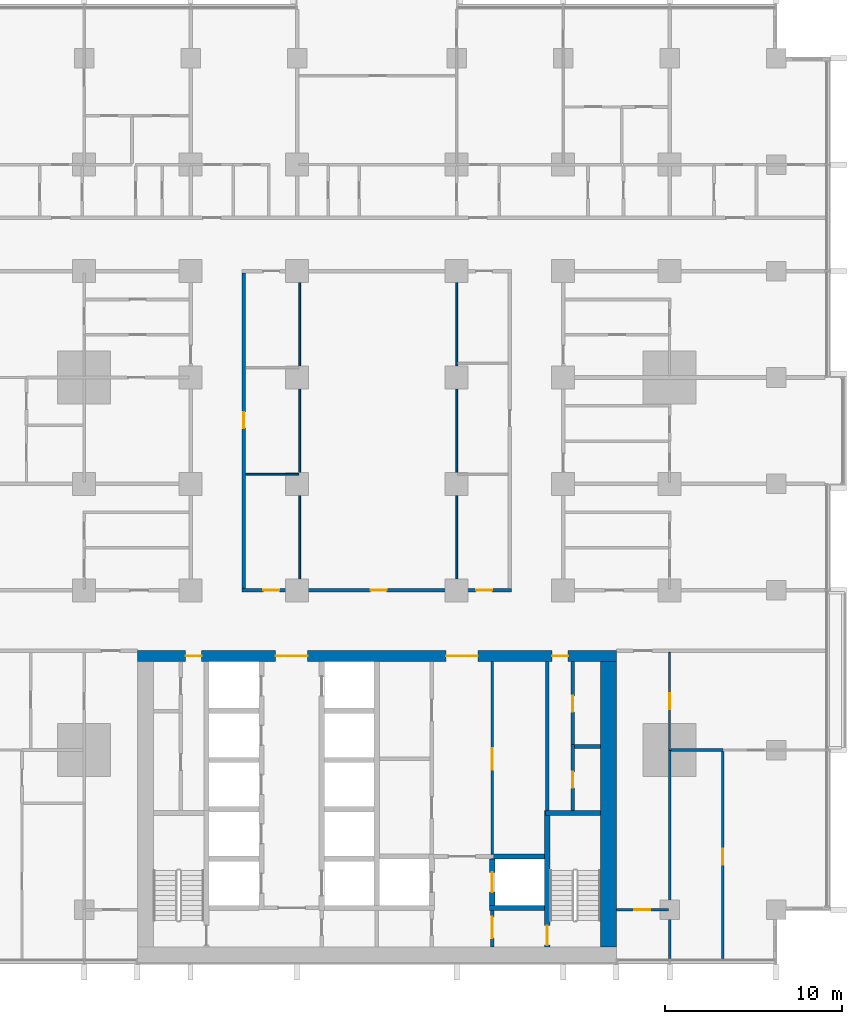
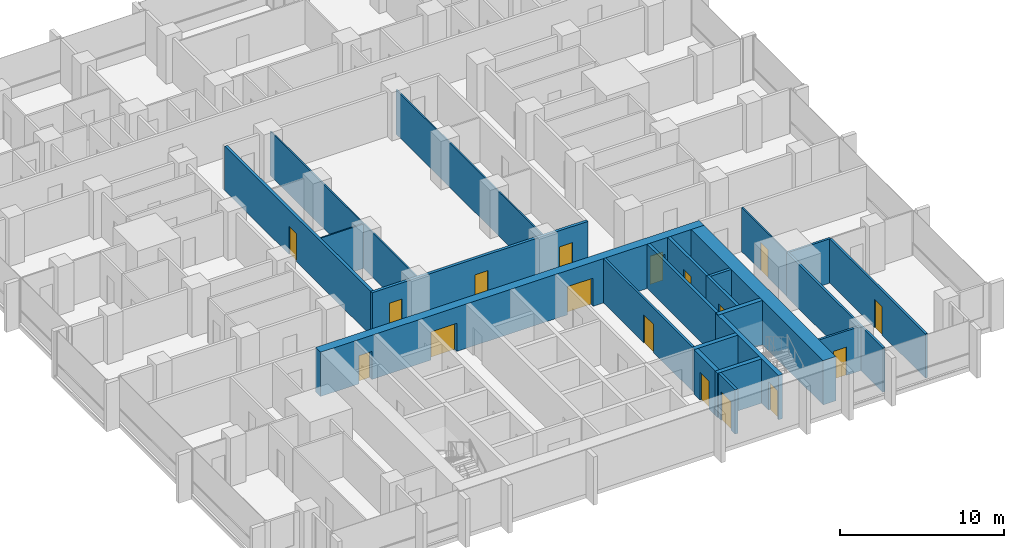
# One storey, part 9 of 18: 23 walls, 17 doors, 17 openings.
"""IFC4 building model written with IfcOpenShell, lengths in metres."""

from ifc_helpers import new_model, si_unit, direction, frame, frame_2d, origin, place, context, subcontext, project, spatial, rectangle, extrude, material, layer, layer_set, type_object, element, fill, save


model = new_model("IFC4")

# Units and contexts
model_context = context("Model", 3, precision=1e-05, world=origin(), true_north=direction((0.0, 1.0)))
body_context = subcontext(model_context, "Body", "Model", "MODEL_VIEW")
ifc_project = project(units=[si_unit("LENGTHUNIT", "METRE"), si_unit("AREAUNIT", "SQUARE_METRE"), si_unit("VOLUMEUNIT", "CUBIC_METRE"), si_unit("PLANEANGLEUNIT", "RADIAN"), si_unit("MASSUNIT", "GRAM", prefix="KILO")], contexts=[model_context])

# Site, building, storey
site_placement = place(None, origin())
site = spatial("IfcSite", under=ifc_project, at=site_placement, CompositionType="ELEMENT")
building_placement = place(site_placement, origin())
building = spatial("IfcBuilding", under=site, at=building_placement, Name="Finial Court Residences", CompositionType="ELEMENT")
storey_placement = place(building_placement, frame((0.0, 0.0, 50.5)))
storey = spatial("IfcBuildingStorey", under=building, at=storey_placement, Name="L11", CompositionType="ELEMENT", Elevation=50.5)

# Wall, openings, doors
ifc_material_1 = material(Name="Concrete C80/95", Category="concrete")
ifc_layer_1 = layer(ifc_material_1, 0.60009765625)
ifc_layer_set_1 = layer_set([ifc_layer_1], Name="Core outer wall 600 Concrete C80/95")
wall_type_1 = type_object("IfcWallType", Name="Core outer wall 600 Concrete C80/95", PredefinedType="SHEAR", material=ifc_layer_set_1)
wall_1_placement = place(storey_placement, frame((-13.5, -8.199951171875, 0.0), z_axis=(0.0, 0.0, 1.0), x_axis=(1.0, 0.0, 0.0)))
wall_1 = element("IfcWall", 1, at=wall_1_placement, inside=storey, type_object=wall_type_1, Name="Core outer wall L11-02", PredefinedType="SHEAR", context=body_context, shape_type="SweptSolid", body=[
    extrude(rectangle(XDim=27.0, YDim=0.60009765625, at=frame_2d((13.5, 0.0))), origin(), (0.0, 0.0, 1.0), 3.300048828125),
])
opening_1_placement = place(wall_1_placement, frame((7.800048828125, 0.0, 0.0)))
opening_1 = element("IfcOpeningElement", 2, at=opening_1_placement, cuts=wall_1, Name="Opening L11-C04", PredefinedType="OPENING", context=body_context, shape_type="SweptSolid", body=[
    extrude(rectangle(XDim=1.800048828125, YDim=2.10009765625, at=frame_2d((0.89990234375, 1.050048828125))), frame((0.0, 0.31005859375, 0.0), z_axis=(0.0, -1.0, 0.0), x_axis=(1.0, 0.0, 0.0)), (0.0, 0.0, 1.0), 0.6201171875),
])
opening_2_placement = place(wall_1_placement, frame((17.39990234375, 0.0, 0.0)))
opening_2 = element("IfcOpeningElement", 3, at=opening_2_placement, cuts=wall_1, Name="Opening L11-C05", PredefinedType="OPENING", context=body_context, shape_type="SweptSolid", body=[
    extrude(rectangle(XDim=1.800048828125, YDim=2.10009765625, at=frame_2d((0.89990234375, 1.050048828125))), frame((0.0, 0.31005859375, 0.0), z_axis=(0.0, -1.0, 0.0), x_axis=(1.0, 0.0, 0.0)), (0.0, 0.0, 1.0), 0.6201171875),
])
opening_3_placement = place(wall_1_placement, frame((2.72509765625, 0.0, 0.0)))
opening_3 = element("IfcOpeningElement", 4, at=opening_3_placement, cuts=wall_1, Name="Opening L11-C11", PredefinedType="OPENING", context=body_context, shape_type="SweptSolid", body=[
    extrude(rectangle(XDim=0.89990234375, YDim=2.10009765625, at=frame_2d((0.449951171875, 1.050048828125))), frame((0.0, 0.31005859375, 0.0), z_axis=(0.0, -1.0, 0.0), x_axis=(1.0, 0.0, 0.0)), (0.0, 0.0, 1.0), 0.6201171875),
])
opening_4_placement = place(wall_1_placement, frame((23.375, 0.0, 0.0)))
opening_4 = element("IfcOpeningElement", 5, at=opening_4_placement, cuts=wall_1, Name="Opening L11-C12", PredefinedType="OPENING", context=body_context, shape_type="SweptSolid", body=[
    extrude(rectangle(XDim=0.89990234375, YDim=2.10009765625, at=frame_2d((0.449951171875, 1.050048828125))), frame((0.0, 0.31005859375, 0.0), z_axis=(0.0, -1.0, 0.0), x_axis=(1.0, 0.0, 0.0)), (0.0, 0.0, 1.0), 0.6201171875),
])
ifc_material_2 = material(Name="Steel fire door", Category="steel")
door_type_1 = type_object("IfcDoorType", Name="Lift lobby door 1800 x 2100 EI 60", OperationType="DOUBLE_DOOR_SINGLE_SWING", PredefinedType="DOOR", material=ifc_material_2)
door_1_placement = place(opening_1_placement, origin())
door_1 = element("IfcDoor", 6, at=door_1_placement, inside=storey, type_object=door_type_1, Name="Lift lobby door L11-C04", OperationType="DOUBLE_DOOR_SINGLE_SWING", OverallHeight=2.10009765625, OverallWidth=1.800048828125, PredefinedType="DOOR", context=body_context, shape_type="SweptSolid", body=[
    extrude(rectangle(XDim=1.800048828125, YDim=2.10009765625, at=frame_2d((0.89990234375, 1.050048828125))), frame((0.0, 0.02490234375, 0.0), z_axis=(0.0, -1.0, 0.0), x_axis=(1.0, 0.0, 0.0)), (0.0, 0.0, 1.0), 0.050048828125),
])
fill(opening_1, door_1)
door_2_placement = place(opening_2_placement, origin())
door_2 = element("IfcDoor", 7, at=door_2_placement, inside=storey, type_object=door_type_1, Name="Lift lobby door L11-C05", OperationType="DOUBLE_DOOR_SINGLE_SWING", OverallHeight=2.10009765625, OverallWidth=1.800048828125, PredefinedType="DOOR", context=body_context, shape_type="SweptSolid", body=[
    extrude(rectangle(XDim=1.800048828125, YDim=2.10009765625, at=frame_2d((0.89990234375, 1.050048828125))), frame((0.0, 0.02490234375, 0.0), z_axis=(0.0, -1.0, 0.0), x_axis=(1.0, 0.0, 0.0)), (0.0, 0.0, 1.0), 0.050048828125),
])
fill(opening_2, door_2)
door_type_2 = type_object("IfcDoorType", Name="Riser room door 900 x 2100 EI 90", OperationType="NOTDEFINED", PredefinedType="DOOR", material=ifc_material_2)
door_3_placement = place(opening_3_placement, origin())
door_3 = element("IfcDoor", 8, at=door_3_placement, inside=storey, type_object=door_type_2, Name="Riser room door L11-C11", OperationType="SINGLE_SWING_RIGHT", OverallHeight=2.10009765625, OverallWidth=0.89990234375, PredefinedType="DOOR", context=body_context, shape_type="SweptSolid", body=[
    extrude(rectangle(XDim=0.89990234375, YDim=2.10009765625, at=frame_2d((0.449951171875, 1.050048828125))), frame((0.0, 0.02490234375, 0.0), z_axis=(0.0, -1.0, 0.0), x_axis=(1.0, 0.0, 0.0)), (0.0, 0.0, 1.0), 0.050048828125),
])
fill(opening_3, door_3)
door_4_placement = place(opening_4_placement, origin())
door_4 = element("IfcDoor", 9, at=door_4_placement, inside=storey, type_object=door_type_2, Name="Riser room door L11-C12", OperationType="SINGLE_SWING_LEFT", OverallHeight=2.10009765625, OverallWidth=0.89990234375, PredefinedType="DOOR", context=body_context, shape_type="SweptSolid", body=[
    extrude(rectangle(XDim=0.89990234375, YDim=2.10009765625, at=frame_2d((0.449951171875, 1.050048828125))), frame((0.0, 0.02490234375, 0.0), z_axis=(0.0, -1.0, 0.0), x_axis=(1.0, 0.0, 0.0)), (0.0, 0.0, 1.0), 0.050048828125),
])
fill(opening_4, door_4)

# Wall
ifc_layer_2 = layer(ifc_material_1, 0.89990234375)
ifc_layer_set_2 = layer_set([ifc_layer_2], Name="Core outer wall 900 Concrete C80/95")
wall_type_2 = type_object("IfcWallType", Name="Core outer wall 900 Concrete C80/95", PredefinedType="SHEAR", material=ifc_layer_set_2)
wall_2_placement = place(storey_placement, frame((13.050048828125, -24.60009765625, 0.0), z_axis=(0.0, 0.0, 1.0), x_axis=(0.0, 1.0, 0.0)))
element("IfcWall", 10, at=wall_2_placement, inside=storey, type_object=wall_type_2, Name="Core outer wall L11-04", PredefinedType="SHEAR", context=body_context, shape_type="SweptSolid", body=[
    extrude(rectangle(XDim=16.10009765625, YDim=0.89990234375, at=frame_2d((8.050048828125, 0.0))), origin(), (0.0, 0.0, 1.0), 3.300048828125),
])

# Wall, opening, door
ifc_material_3 = material(Name="Fire-rated gypsum board partition")
ifc_layer_3 = layer(ifc_material_3, 0.14990234375)
ifc_layer_set_3 = layer_set([ifc_layer_3], Name="Core room partition 150 EI 60")
wall_type_3 = type_object("IfcWallType", Name="Core room partition 150 EI 60", PredefinedType="PARTITIONING", material=ifc_layer_set_3)
wall_3_placement = place(storey_placement, frame((6.5, -8.5, 0.0), z_axis=(0.0, 0.0, 1.0), x_axis=(0.0, -1.0, 0.0)))
wall_3 = element("IfcWall", 11, at=wall_3_placement, inside=storey, type_object=wall_type_3, Name="Core partition L11-35", PredefinedType="PARTITIONING", context=body_context, shape_type="SweptSolid", body=[
    extrude(rectangle(XDim=10.85009765625, YDim=0.14990234375, at=frame_2d((5.425048828125, 0.0))), origin(), (0.0, 0.0, 1.0), 3.300048828125),
])
opening_5_placement = place(wall_3_placement, frame((4.89990234375, 0.0, 0.0)))
opening_5 = element("IfcOpeningElement", 12, at=opening_5_placement, cuts=wall_3, Name="Opening L11-C16", PredefinedType="OPENING", context=body_context, shape_type="SweptSolid", body=[
    extrude(rectangle(XDim=1.199951171875, YDim=2.10009765625, at=frame_2d((0.60009765625, 1.050048828125))), frame((0.0, 0.0849609375, 0.0), z_axis=(0.0, -1.0, 0.0), x_axis=(1.0, 0.0, 0.0)), (0.0, 0.0, 1.0), 0.169921875),
])
door_type_3 = type_object("IfcDoorType", Name="Core room door 1200 x 2100 EI 60", OperationType="NOTDEFINED", PredefinedType="DOOR", material=ifc_material_2)
door_5_placement = place(opening_5_placement, origin())
door_5 = element("IfcDoor", 13, at=door_5_placement, inside=storey, type_object=door_type_3, Name="Core room door L11-C16", OperationType="SINGLE_SWING_RIGHT", OverallHeight=2.10009765625, OverallWidth=1.199951171875, PredefinedType="DOOR", context=body_context, shape_type="SweptSolid", body=[
    extrude(rectangle(XDim=1.199951171875, YDim=2.10009765625, at=frame_2d((0.60009765625, 1.050048828125))), frame((0.0, 0.02490234375, 0.0), z_axis=(0.0, -1.0, 0.0), x_axis=(1.0, 0.0, 0.0)), (0.0, 0.0, 1.0), 0.050048828125),
])
fill(opening_5, door_5)

# Wall, openings, doors
ifc_material_4 = material(Name="Gypsum board")
ifc_layer_4 = layer(ifc_material_4, 0.02490234375)
ifc_material_5 = material(Name="Acoustic mineral wool in double frame")
ifc_layer_5 = layer(ifc_material_5, 0.14990234375)
ifc_layer_6 = layer(ifc_material_4, 0.02490234375)
ifc_layer_set_4 = layer_set([ifc_layer_4, ifc_layer_5, ifc_layer_6], Name="Corridor wall 200, 1 hour")
wall_type_4 = type_object("IfcWallType", Name="Corridor wall 200, 1 hour", PredefinedType="PARTITIONING", material=ifc_layer_set_4)
wall_4_placement = place(storey_placement, frame((-7.60009765625, -4.5, 0.0), z_axis=(0.0, 0.0, 1.0), x_axis=(1.0, 0.0, 0.0)))
wall_4 = element("IfcWall", 14, at=wall_4_placement, inside=storey, type_object=wall_type_4, Name="Partition L11-010", PredefinedType="PARTITIONING", context=body_context, shape_type="SweptSolid", body=[
    extrude(rectangle(XDim=15.2001953125, YDim=0.199951171875, at=frame_2d((7.60009765625, 0.0))), origin(), (0.0, 0.0, 1.0), 3.300048828125),
])
opening_6_placement = place(wall_4_placement, frame((1.199951171875, 0.0, 0.0)))
opening_6 = element("IfcOpeningElement", 15, at=opening_6_placement, cuts=wall_4, Name="Opening L11-D008", PredefinedType="OPENING", context=body_context, shape_type="SweptSolid", body=[
    extrude(rectangle(XDim=0.89990234375, YDim=2.10009765625, at=frame_2d((0.449951171875, 1.050048828125))), frame((0.0, 0.10986328125, 0.0), z_axis=(0.0, -1.0, 0.0), x_axis=(1.0, 0.0, 0.0)), (0.0, 0.0, 1.0), 0.219970703125),
])
opening_7_placement = place(wall_4_placement, frame((7.25, 0.0, 0.0)))
opening_7 = element("IfcOpeningElement", 16, at=opening_7_placement, cuts=wall_4, Name="Opening L11-D009", PredefinedType="OPENING", context=body_context, shape_type="SweptSolid", body=[
    extrude(rectangle(XDim=0.89990234375, YDim=2.10009765625, at=frame_2d((0.449951171875, 1.050048828125))), frame((0.0, 0.10986328125, 0.0), z_axis=(0.0, -1.0, 0.0), x_axis=(1.0, 0.0, 0.0)), (0.0, 0.0, 1.0), 0.219970703125),
])
opening_8_placement = place(wall_4_placement, frame((13.199951171875, 0.0, 0.0)))
opening_8 = element("IfcOpeningElement", 17, at=opening_8_placement, cuts=wall_4, Name="Opening L11-D010", PredefinedType="OPENING", context=body_context, shape_type="SweptSolid", body=[
    extrude(rectangle(XDim=0.89990234375, YDim=2.10009765625, at=frame_2d((0.449951171875, 1.050048828125))), frame((0.0, 0.10986328125, 0.0), z_axis=(0.0, -1.0, 0.0), x_axis=(1.0, 0.0, 0.0)), (0.0, 0.0, 1.0), 0.219970703125),
])
ifc_material_6 = material(Name="Timber door leaf in hollow metal frame", Category="wood")
door_type_4 = type_object("IfcDoorType", Name="Fire door set 900 x 2100, 30 minutes", OperationType="SINGLE_SWING_LEFT", PredefinedType="DOOR", material=ifc_material_6)
door_6_placement = place(opening_6_placement, origin())
door_6 = element("IfcDoor", 18, at=door_6_placement, inside=storey, type_object=door_type_4, Name="Door L11-D008", OperationType="SINGLE_SWING_RIGHT", OverallHeight=2.10009765625, OverallWidth=0.89990234375, PredefinedType="DOOR", context=body_context, shape_type="SweptSolid", body=[
    extrude(rectangle(XDim=0.89990234375, YDim=2.10009765625, at=frame_2d((0.449951171875, 1.050048828125))), frame((0.0, 0.02490234375, 0.0), z_axis=(0.0, -1.0, 0.0), x_axis=(1.0, 0.0, 0.0)), (0.0, 0.0, 1.0), 0.050048828125),
])
fill(opening_6, door_6)
door_7_placement = place(opening_7_placement, origin())
door_7 = element("IfcDoor", 19, at=door_7_placement, inside=storey, type_object=door_type_4, Name="Door L11-D009", OperationType="SINGLE_SWING_RIGHT", OverallHeight=2.10009765625, OverallWidth=0.89990234375, PredefinedType="DOOR", context=body_context, shape_type="SweptSolid", body=[
    extrude(rectangle(XDim=0.89990234375, YDim=2.10009765625, at=frame_2d((0.449951171875, 1.050048828125))), frame((0.0, 0.02490234375, 0.0), z_axis=(0.0, -1.0, 0.0), x_axis=(1.0, 0.0, 0.0)), (0.0, 0.0, 1.0), 0.050048828125),
])
fill(opening_7, door_7)
door_8_placement = place(opening_8_placement, origin())
door_8 = element("IfcDoor", 20, at=door_8_placement, inside=storey, type_object=door_type_4, Name="Door L11-D010", OperationType="SINGLE_SWING_LEFT", OverallHeight=2.10009765625, OverallWidth=0.89990234375, PredefinedType="DOOR", context=body_context, shape_type="SweptSolid", body=[
    extrude(rectangle(XDim=0.89990234375, YDim=2.10009765625, at=frame_2d((0.449951171875, 1.050048828125))), frame((0.0, 0.02490234375, 0.0), z_axis=(0.0, -1.0, 0.0), x_axis=(1.0, 0.0, 0.0)), (0.0, 0.0, 1.0), 0.050048828125),
])
fill(opening_8, door_8)

# Wall, opening, door
wall_5_placement = place(storey_placement, frame((-7.5, -4.39990234375, 0.0), z_axis=(0.0, 0.0, 1.0), x_axis=(0.0, 1.0, 0.0)))
wall_5 = element("IfcWall", 21, at=wall_5_placement, inside=storey, type_object=wall_type_4, Name="Partition L11-080", PredefinedType="PARTITIONING", context=body_context, shape_type="SweptSolid", body=[
    extrude(rectangle(XDim=17.7998046875, YDim=0.199951171875, at=frame_2d((8.89990234375, 0.0))), origin(), (0.0, 0.0, 1.0), 3.300048828125),
])
opening_9_placement = place(wall_5_placement, frame((9.050048828125, 0.0, 0.0)))
opening_9 = element("IfcOpeningElement", 22, at=opening_9_placement, cuts=wall_5, Name="Opening L11-D050", PredefinedType="OPENING", context=body_context, shape_type="SweptSolid", body=[
    extrude(rectangle(XDim=0.89990234375, YDim=2.10009765625, at=frame_2d((0.449951171875, 1.050048828125))), frame((0.0, 0.10986328125, 0.0), z_axis=(0.0, -1.0, 0.0), x_axis=(1.0, 0.0, 0.0)), (0.0, 0.0, 1.0), 0.219970703125),
])
door_9_placement = place(opening_9_placement, origin())
door_9 = element("IfcDoor", 23, at=door_9_placement, inside=storey, type_object=door_type_4, Name="Door L11-D050", OperationType="SINGLE_SWING_RIGHT", OverallHeight=2.10009765625, OverallWidth=0.89990234375, PredefinedType="DOOR", context=body_context, shape_type="SweptSolid", body=[
    extrude(rectangle(XDim=0.89990234375, YDim=2.10009765625, at=frame_2d((0.449951171875, 1.050048828125))), frame((0.0, 0.02490234375, 0.0), z_axis=(0.0, -1.0, 0.0), x_axis=(1.0, 0.0, 0.0)), (0.0, 0.0, 1.0), 0.050048828125),
])
fill(opening_9, door_9)

ifc_layer_7 = layer(ifc_material_3, 0.199951171875)
ifc_layer_set_5 = layer_set([ifc_layer_7], Name="Firefighting lobby wall 200 EI 120")
wall_type_5 = type_object("IfcWallType", Name="Firefighting lobby wall 200 EI 120", PredefinedType="PARTITIONING", material=ifc_layer_set_5)
wall_6_placement = place(storey_placement, frame((6.5, -22.550048828125, 0.0), z_axis=(0.0, 0.0, 1.0), x_axis=(0.0, -1.0, 0.0)))
wall_6 = element("IfcWall", 24, at=wall_6_placement, inside=storey, type_object=wall_type_5, Name="Core partition L11-33", PredefinedType="PARTITIONING", context=body_context, shape_type="SweptSolid", body=[
    extrude(rectangle(XDim=2.050048828125, YDim=0.199951171875, at=frame_2d((1.02490234375, 0.0))), origin(), (0.0, 0.0, 1.0), 3.300048828125),
])
opening_10_placement = place(wall_6_placement, frame((0.35009765625, 0.0, 0.0)))
opening_10 = element("IfcOpeningElement", 25, at=opening_10_placement, cuts=wall_6, Name="Opening L11-C01", PredefinedType="OPENING", context=body_context, shape_type="SweptSolid", body=[
    extrude(rectangle(XDim=1.199951171875, YDim=2.10009765625, at=frame_2d((0.60009765625, 1.050048828125))), frame((0.0, 0.10986328125, 0.0), z_axis=(0.0, -1.0, 0.0), x_axis=(1.0, 0.0, 0.0)), (0.0, 0.0, 1.0), 0.219970703125),
])
door_type_5 = type_object("IfcDoorType", Name="Firefighting lobby door 1200 x 2100 EI 90", OperationType="NOTDEFINED", PredefinedType="DOOR", material=ifc_material_2)
door_10_placement = place(opening_10_placement, origin())
door_10 = element("IfcDoor", 26, at=door_10_placement, inside=storey, type_object=door_type_5, Name="Firefighting lobby door L11-C01", OperationType="SINGLE_SWING_RIGHT", OverallHeight=2.10009765625, OverallWidth=1.199951171875, PredefinedType="DOOR", context=body_context, shape_type="SweptSolid", body=[
    extrude(rectangle(XDim=1.199951171875, YDim=2.10009765625, at=frame_2d((0.60009765625, 1.050048828125))), frame((0.0, 0.02490234375, 0.0), z_axis=(0.0, -1.0, 0.0), x_axis=(1.0, 0.0, 0.0)), (0.0, 0.0, 1.0), 0.050048828125),
])
fill(opening_10, door_10)

# Walls
ifc_layer_8 = layer(ifc_material_4, 0.012451171875)
ifc_material_7 = material(Name="Mineral wool in light-gauge frame")
ifc_layer_9 = layer(ifc_material_7, 0.074951171875)
ifc_layer_10 = layer(ifc_material_4, 0.012451171875)
ifc_layer_set_6 = layer_set([ifc_layer_8, ifc_layer_9, ifc_layer_10], Name="Gypsum board partition 100")
wall_type_6 = type_object("IfcWallType", Name="Gypsum board partition 100", PredefinedType="PARTITIONING", material=ifc_layer_set_6)
wall_7_placement = place(storey_placement, frame((-7.39990234375, 2.050048828125, 0.0), z_axis=(0.0, 0.0, 1.0), x_axis=(1.0, 0.0, 0.0)))
element("IfcWall", 27, at=wall_7_placement, inside=storey, type_object=wall_type_6, Name="Partition L11-018", PredefinedType="PARTITIONING", context=body_context, shape_type="SweptSolid", body=[
    extrude(rectangle(XDim=3.0, YDim=0.10009765625, at=frame_2d((1.5, 0.0))), origin(), (0.0, 0.0, 1.0), 3.300048828125),
])
for number, where, z_axis, x_axis, name in (
    (28, (-4.35009765625, -4.39990234375, 0.0), (0.0, 0.0, 1.0), (0.0, 1.0, 0.0), "Partition L11-083"),
    (29, (4.5, -4.39990234375, 0.0), (0.0, 0.0, 1.0), (0.0, 1.0, 0.0), "Partition L11-086"),
):
    element("IfcWall", number, at=place(storey_placement, frame(where, z_axis=z_axis, x_axis=x_axis)), inside=storey, type_object=wall_type_6, Name=name, PredefinedType="PARTITIONING", context=body_context, shape_type="SweptSolid", body=[
        extrude(rectangle(XDim=17.7998046875, YDim=0.10009765625, at=frame_2d((8.89990234375, 0.0))), origin(), (0.0, 0.0, 1.0), 3.300048828125),
    ])

# Wall, opening, door
wall_8_placement = place(storey_placement, frame((16.5, -13.5, 0.0), z_axis=(0.0, 0.0, 1.0), x_axis=(0.0, 1.0, 0.0)))
wall_8 = element("IfcWall", 30, at=wall_8_placement, inside=storey, type_object=wall_type_6, Name="Partition L11-096", PredefinedType="PARTITIONING", context=body_context, shape_type="SweptSolid", body=[
    extrude(rectangle(XDim=5.5, YDim=0.10009765625, at=frame_2d((2.75, 0.0))), origin(), (0.0, 0.0, 1.0), 3.300048828125),
])
opening_11_placement = place(wall_8_placement, frame((2.300048828125, 0.0, 0.0)))
opening_11 = element("IfcOpeningElement", 31, at=opening_11_placement, cuts=wall_8, Name="Opening L11-D062", PredefinedType="OPENING", context=body_context, shape_type="SweptSolid", body=[
    extrude(rectangle(XDim=0.89990234375, YDim=2.10009765625, at=frame_2d((0.449951171875, 1.050048828125))), frame((0.0, 0.06005859375, 0.0), z_axis=(0.0, -1.0, 0.0), x_axis=(1.0, 0.0, 0.0)), (0.0, 0.0, 1.0), 0.1201171875),
])
ifc_material_8 = material(Name="Timber door leaf in timber frame", Category="wood")
door_type_6 = type_object("IfcDoorType", Name="Door set 900 x 2100", OperationType="SINGLE_SWING_LEFT", PredefinedType="DOOR", material=ifc_material_8)
door_11_placement = place(opening_11_placement, origin())
door_11 = element("IfcDoor", 32, at=door_11_placement, inside=storey, type_object=door_type_6, Name="Door L11-D062", OperationType="SINGLE_SWING_LEFT", OverallHeight=2.10009765625, OverallWidth=0.89990234375, PredefinedType="DOOR", context=body_context, shape_type="SweptSolid", body=[
    extrude(rectangle(XDim=0.89990234375, YDim=2.10009765625, at=frame_2d((0.449951171875, 1.050048828125))), frame((0.0, 0.02490234375, 0.0), z_axis=(0.0, -1.0, 0.0), x_axis=(1.0, 0.0, 0.0)), (0.0, 0.0, 1.0), 0.050048828125),
])
fill(opening_11, door_11)

ifc_material_9 = material(Name="Moisture-resistant gypsum board")
ifc_layer_11 = layer(ifc_material_9, 0.012451171875)
ifc_layer_12 = layer(ifc_material_7, 0.125)
ifc_layer_13 = layer(ifc_material_9, 0.012451171875)
ifc_layer_set_7 = layer_set([ifc_layer_11, ifc_layer_12, ifc_layer_13], Name="Gypsum board wet-area partition 150")
wall_type_7 = type_object("IfcWallType", Name="Gypsum board wet-area partition 150", PredefinedType="PARTITIONING", material=ifc_layer_set_7)
wall_9_placement = place(storey_placement, frame((13.5, -22.5, 0.0), z_axis=(0.0, 0.0, 1.0), x_axis=(1.0, 0.0, 0.0)))
wall_9 = element("IfcWall", 33, at=wall_9_placement, inside=storey, type_object=wall_type_7, Name="Partition L11-001", PredefinedType="PARTITIONING", context=body_context, shape_type="SweptSolid", body=[
    extrude(rectangle(XDim=2.925048828125, YDim=0.14990234375, at=frame_2d((1.46240234375, 0.0))), origin(), (0.0, 0.0, 1.0), 3.300048828125),
])
opening_12_placement = place(wall_9_placement, frame((1.0, 0.0, 0.0)))
opening_12 = element("IfcOpeningElement", 34, at=opening_12_placement, cuts=wall_9, Name="Opening L11-D002", PredefinedType="OPENING", context=body_context, shape_type="SweptSolid", body=[
    extrude(rectangle(XDim=0.89990234375, YDim=2.10009765625, at=frame_2d((0.449951171875, 1.050048828125))), frame((0.0, 0.0849609375, 0.0), z_axis=(0.0, -1.0, 0.0), x_axis=(1.0, 0.0, 0.0)), (0.0, 0.0, 1.0), 0.169921875),
])
door_12_placement = place(opening_12_placement, origin())
door_12 = element("IfcDoor", 35, at=door_12_placement, inside=storey, type_object=door_type_6, Name="Door L11-D002", OperationType="SINGLE_SWING_LEFT", OverallHeight=2.10009765625, OverallWidth=0.89990234375, PredefinedType="DOOR", context=body_context, shape_type="SweptSolid", body=[
    extrude(rectangle(XDim=0.89990234375, YDim=2.10009765625, at=frame_2d((0.449951171875, 1.050048828125))), frame((0.0, 0.02490234375, 0.0), z_axis=(0.0, -1.0, 0.0), x_axis=(1.0, 0.0, 0.0)), (0.0, 0.0, 1.0), 0.050048828125),
])
fill(opening_12, door_12)

# Walls
wall_10_placement = place(storey_placement, frame((16.574951171875, -13.5, 0.0), z_axis=(0.0, 0.0, 1.0), x_axis=(1.0, 0.0, 0.0)))
element("IfcWall", 36, at=wall_10_placement, inside=storey, type_object=wall_type_7, Name="Partition L11-006", PredefinedType="PARTITIONING", context=body_context, shape_type="SweptSolid", body=[
    extrude(rectangle(XDim=2.925048828125, YDim=0.14990234375, at=frame_2d((1.46240234375, 0.0))), origin(), (0.0, 0.0, 1.0), 3.300048828125),
])
wall_11_placement = place(storey_placement, frame((16.5, -25.25, 0.0), z_axis=(0.0, 0.0, 1.0), x_axis=(0.0, 1.0, 0.0)))
element("IfcWall", 37, at=wall_11_placement, inside=storey, type_object=wall_type_7, Name="Partition L11-102", PredefinedType="PARTITIONING", context=body_context, shape_type="SweptSolid", body=[
    extrude(rectangle(XDim=11.75, YDim=0.14990234375, at=frame_2d((5.875, 0.0))), origin(), (0.0, 0.0, 1.0), 3.300048828125),
])

# Wall, opening, door
wall_12_placement = place(storey_placement, frame((19.5, -25.25, 0.0), z_axis=(0.0, 0.0, 1.0), x_axis=(0.0, 1.0, 0.0)))
wall_12 = element("IfcWall", 38, at=wall_12_placement, inside=storey, type_object=wall_type_7, Name="Partition L11-107", PredefinedType="PARTITIONING", context=body_context, shape_type="SweptSolid", body=[
    extrude(rectangle(XDim=11.675048828125, YDim=0.14990234375, at=frame_2d((5.83740234375, 0.0))), origin(), (0.0, 0.0, 1.0), 3.300048828125),
])
opening_13_placement = place(wall_12_placement, frame((5.300048828125, 0.0, 0.0)))
opening_13 = element("IfcOpeningElement", 39, at=opening_13_placement, cuts=wall_12, Name="Opening L11-D069", PredefinedType="OPENING", context=body_context, shape_type="SweptSolid", body=[
    extrude(rectangle(XDim=0.89990234375, YDim=2.10009765625, at=frame_2d((0.449951171875, 1.050048828125))), frame((0.0, 0.0849609375, 0.0), z_axis=(0.0, -1.0, 0.0), x_axis=(1.0, 0.0, 0.0)), (0.0, 0.0, 1.0), 0.169921875),
])
door_13_placement = place(opening_13_placement, origin())
door_13 = element("IfcDoor", 40, at=door_13_placement, inside=storey, type_object=door_type_6, Name="Door L11-D069", OperationType="SINGLE_SWING_LEFT", OverallHeight=2.10009765625, OverallWidth=0.89990234375, PredefinedType="DOOR", context=body_context, shape_type="SweptSolid", body=[
    extrude(rectangle(XDim=0.89990234375, YDim=2.10009765625, at=frame_2d((0.449951171875, 1.050048828125))), frame((0.0, 0.02490234375, 0.0), z_axis=(0.0, -1.0, 0.0), x_axis=(1.0, 0.0, 0.0)), (0.0, 0.0, 1.0), 0.050048828125),
])
fill(opening_13, door_13)

# Walls
ifc_layer_14 = layer(ifc_material_1, 0.300048828125)
ifc_layer_set_8 = layer_set([ifc_layer_14], Name="Lift shaft and stair wall 300 Concrete C80/95")
wall_type_8 = type_object("IfcWallType", Name="Lift shaft and stair wall 300 Concrete C80/95", PredefinedType="SHEAR", material=ifc_layer_set_8)
wall_13_placement = place(storey_placement, frame((6.35009765625, -22.39990234375, 0.0), z_axis=(0.0, 0.0, 1.0), x_axis=(1.0, 0.0, 0.0)))
element("IfcWall", 41, at=wall_13_placement, inside=storey, type_object=wall_type_8, Name="Core wall L11-04", PredefinedType="SHEAR", context=body_context, shape_type="SweptSolid", body=[
    extrude(rectangle(XDim=3.099853515625, YDim=0.300048828125, at=frame_2d((1.5498046875, 0.0))), origin(), (0.0, 0.0, 1.0), 3.300048828125),
])
wall_14_placement = place(storey_placement, frame((6.425048828125, -19.5, 0.0), z_axis=(0.0, 0.0, 1.0), x_axis=(1.0, 0.0, 0.0)))
element("IfcWall", 42, at=wall_14_placement, inside=storey, type_object=wall_type_8, Name="Core wall L11-09", PredefinedType="SHEAR", context=body_context, shape_type="SweptSolid", body=[
    extrude(rectangle(XDim=3.02490234375, YDim=0.300048828125, at=frame_2d((1.512451171875, 0.0))), origin(), (0.0, 0.0, 1.0), 3.300048828125),
])
wall_15_placement = place(storey_placement, frame((9.5, -17.050048828125, 0.0), z_axis=(0.0, 0.0, 1.0), x_axis=(1.0, 0.0, 0.0)))
element("IfcWall", 43, at=wall_15_placement, inside=storey, type_object=wall_type_8, Name="Core wall L11-11", PredefinedType="SHEAR", context=body_context, shape_type="SweptSolid", body=[
    extrude(rectangle(XDim=3.10009765625, YDim=0.300048828125, at=frame_2d((1.550048828125, 0.0))), origin(), (0.0, 0.0, 1.0), 3.300048828125),
])

# Wall, opening, door
wall_16_placement = place(storey_placement, frame((6.5, -22.25, 0.0), z_axis=(0.0, 0.0, 1.0), x_axis=(0.0, 1.0, 0.0)))
wall_16 = element("IfcWall", 44, at=wall_16_placement, inside=storey, type_object=wall_type_8, Name="Core wall L11-34", PredefinedType="SHEAR", context=body_context, shape_type="SweptSolid", body=[
    extrude(rectangle(XDim=2.60009765625, YDim=0.300048828125, at=frame_2d((1.300048828125, 0.0))), origin(), (0.0, 0.0, 1.0), 3.300048828125),
])
opening_14_placement = place(wall_16_placement, frame((0.75, 0.0, 0.0)))
opening_14 = element("IfcOpeningElement", 45, at=opening_14_placement, cuts=wall_16, Name="Opening L11-LD02", PredefinedType="OPENING", context=body_context, shape_type="SweptSolid", body=[
    extrude(rectangle(XDim=1.10009765625, YDim=2.10009765625, at=frame_2d((0.550048828125, 1.050048828125))), frame((0.0, 0.159912109375, 0.0), z_axis=(0.0, -1.0, 0.0), x_axis=(1.0, 0.0, 0.0)), (0.0, 0.0, 1.0), 0.320068359375),
])
ifc_material_10 = material(Name="Stainless steel lift door", Category="steel")
door_type_7 = type_object("IfcDoorType", Name="Lift landing door 1100 x 2100 EI 90", OperationType="DOUBLE_DOOR_SLIDING", PredefinedType="DOOR", material=ifc_material_10)
door_14_placement = place(opening_14_placement, origin())
door_14 = element("IfcDoor", 46, at=door_14_placement, inside=storey, type_object=door_type_7, Name="Lift landing door FF2 L11", OperationType="DOUBLE_DOOR_SLIDING", OverallHeight=2.10009765625, OverallWidth=1.10009765625, PredefinedType="DOOR", context=body_context, shape_type="SweptSolid", body=[
    extrude(rectangle(XDim=1.10009765625, YDim=2.10009765625, at=frame_2d((0.550048828125, 1.050048828125))), frame((0.0, 0.02490234375, 0.0), z_axis=(0.0, -1.0, 0.0), x_axis=(1.0, 0.0, 0.0)), (0.0, 0.0, 1.0), 0.050048828125),
])
fill(opening_14, door_14)

wall_17_placement = place(storey_placement, frame((9.60009765625, -16.89990234375, 0.0), z_axis=(0.0, 0.0, 1.0), x_axis=(0.0, -1.0, 0.0)))
wall_17 = element("IfcWall", 47, at=wall_17_placement, inside=storey, type_object=wall_type_8, Name="Core wall L11-36", PredefinedType="SHEAR", context=body_context, shape_type="SweptSolid", body=[
    extrude(rectangle(XDim=7.7001953125, YDim=0.300048828125, at=frame_2d((3.85009765625, 0.0))), origin(), (0.0, 0.0, 1.0), 3.300048828125),
])
opening_15_placement = place(wall_17_placement, frame((6.5, 0.0, 0.0)))
opening_15 = element("IfcOpeningElement", 48, at=opening_15_placement, cuts=wall_17, Name="Opening L11-C18", PredefinedType="OPENING", context=body_context, shape_type="SweptSolid", body=[
    extrude(rectangle(XDim=1.10009765625, YDim=2.10009765625, at=frame_2d((0.550048828125, 1.050048828125))), frame((0.0, 0.159912109375, 0.0), z_axis=(0.0, -1.0, 0.0), x_axis=(1.0, 0.0, 0.0)), (0.0, 0.0, 1.0), 0.320068359375),
])
door_type_8 = type_object("IfcDoorType", Name="Stair door 1100 x 2100 EI 90", OperationType="NOTDEFINED", PredefinedType="DOOR", material=ifc_material_2)
door_15_placement = place(opening_15_placement, origin())
door_15 = element("IfcDoor", 49, at=door_15_placement, inside=storey, type_object=door_type_8, Name="Stair door L11-C18", OperationType="SINGLE_SWING_RIGHT", OverallHeight=2.10009765625, OverallWidth=1.10009765625, PredefinedType="DOOR", context=body_context, shape_type="SweptSolid", body=[
    extrude(rectangle(XDim=1.10009765625, YDim=2.10009765625, at=frame_2d((0.550048828125, 1.050048828125))), frame((0.0, 0.02490234375, 0.0), z_axis=(0.0, -1.0, 0.0), x_axis=(1.0, 0.0, 0.0)), (0.0, 0.0, 1.0), 0.050048828125),
])
fill(opening_15, door_15)

# Wall
ifc_layer_15 = layer(ifc_material_3, 0.199951171875)
ifc_layer_set_9 = layer_set([ifc_layer_15], Name="Riser room wall 200 EI 120")
wall_type_9 = type_object("IfcWallType", Name="Riser room wall 200 EI 120", PredefinedType="PARTITIONING", material=ifc_layer_set_9)
wall_18_placement = place(storey_placement, frame((11.14990234375, -13.300048828125, 0.0), z_axis=(0.0, 0.0, 1.0), x_axis=(1.0, 0.0, 0.0)))
element("IfcWall", 50, at=wall_18_placement, inside=storey, type_object=wall_type_9, Name="Core partition L11-17", PredefinedType="PARTITIONING", context=body_context, shape_type="SweptSolid", body=[
    extrude(rectangle(XDim=1.4501953125, YDim=0.199951171875, at=frame_2d((0.72509765625, 0.0))), origin(), (0.0, 0.0, 1.0), 3.300048828125),
])

# Wall, opening, door
wall_19_placement = place(storey_placement, frame((11.050048828125, -8.5, 0.0), z_axis=(0.0, 0.0, 1.0), x_axis=(0.0, -1.0, 0.0)))
wall_19 = element("IfcWall", 51, at=wall_19_placement, inside=storey, type_object=wall_type_9, Name="Core partition L11-39", PredefinedType="PARTITIONING", context=body_context, shape_type="SweptSolid", body=[
    extrude(rectangle(XDim=4.89990234375, YDim=0.199951171875, at=frame_2d((2.449951171875, 0.0))), origin(), (0.0, 0.0, 1.0), 3.300048828125),
])
opening_16_placement = place(wall_19_placement, frame((1.949951171875, 0.0, 0.0)))
opening_16 = element("IfcOpeningElement", 52, at=opening_16_placement, cuts=wall_19, Name="Opening L11-C08", PredefinedType="OPENING", context=body_context, shape_type="SweptSolid", body=[
    extrude(rectangle(XDim=0.89990234375, YDim=2.10009765625, at=frame_2d((0.449951171875, 1.050048828125))), frame((0.0, 0.10986328125, 0.0), z_axis=(0.0, -1.0, 0.0), x_axis=(1.0, 0.0, 0.0)), (0.0, 0.0, 1.0), 0.219970703125),
])
door_16_placement = place(opening_16_placement, origin())
door_16 = element("IfcDoor", 53, at=door_16_placement, inside=storey, type_object=door_type_2, Name="Riser room door L11-C08", OperationType="SINGLE_SWING_RIGHT", OverallHeight=2.10009765625, OverallWidth=0.89990234375, PredefinedType="DOOR", context=body_context, shape_type="SweptSolid", body=[
    extrude(rectangle(XDim=0.89990234375, YDim=2.10009765625, at=frame_2d((0.449951171875, 1.050048828125))), frame((0.0, 0.02490234375, 0.0), z_axis=(0.0, -1.0, 0.0), x_axis=(1.0, 0.0, 0.0)), (0.0, 0.0, 1.0), 0.050048828125),
])
fill(opening_16, door_16)

# Wall
ifc_layer_16 = layer(ifc_material_3, 0.199951171875)
ifc_layer_set_10 = layer_set([ifc_layer_16], Name="Stair passage wall 200 EI 180")
wall_type_10 = type_object("IfcWallType", Name="Stair passage wall 200 EI 180", PredefinedType="PARTITIONING", material=ifc_layer_set_10)
wall_20_placement = place(storey_placement, frame((9.60009765625, -16.89990234375, 0.0), z_axis=(0.0, 0.0, 1.0), x_axis=(0.0, 1.0, 0.0)))
element("IfcWall", 54, at=wall_20_placement, inside=storey, type_object=wall_type_10, Name="Core partition L11-37", PredefinedType="PARTITIONING", context=body_context, shape_type="SweptSolid", body=[
    extrude(rectangle(XDim=8.39990234375, YDim=0.199951171875, at=frame_2d((4.199951171875, 0.0))), origin(), (0.0, 0.0, 1.0), 3.300048828125),
])

# Wall, opening, door
wall_21_placement = place(storey_placement, frame((11.050048828125, -13.199951171875, 0.0), z_axis=(0.0, 0.0, 1.0), x_axis=(0.0, -1.0, 0.0)))
wall_21 = element("IfcWall", 55, at=wall_21_placement, inside=storey, type_object=wall_type_10, Name="Core partition L11-38", PredefinedType="PARTITIONING", context=body_context, shape_type="SweptSolid", body=[
    extrude(rectangle(XDim=3.699951171875, YDim=0.199951171875, at=frame_2d((1.85009765625, 0.0))), origin(), (0.0, 0.0, 1.0), 3.300048828125),
])
opening_17_placement = place(wall_21_placement, frame((1.52490234375, 0.0, 0.0)))
opening_17 = element("IfcOpeningElement", 56, at=opening_17_placement, cuts=wall_21, Name="Opening L11-C15", PredefinedType="OPENING", context=body_context, shape_type="SweptSolid", body=[
    extrude(rectangle(XDim=0.89990234375, YDim=2.10009765625, at=frame_2d((0.449951171875, 1.050048828125))), frame((0.0, 0.10986328125, 0.0), z_axis=(0.0, -1.0, 0.0), x_axis=(1.0, 0.0, 0.0)), (0.0, 0.0, 1.0), 0.219970703125),
])
door_type_9 = type_object("IfcDoorType", Name="Core room door 900 x 2100 EI 60", OperationType="NOTDEFINED", PredefinedType="DOOR", material=ifc_material_2)
door_17_placement = place(opening_17_placement, origin())
door_17 = element("IfcDoor", 57, at=door_17_placement, inside=storey, type_object=door_type_9, Name="Core room door L11-C15", OperationType="SINGLE_SWING_RIGHT", OverallHeight=2.10009765625, OverallWidth=0.89990234375, PredefinedType="DOOR", context=body_context, shape_type="SweptSolid", body=[
    extrude(rectangle(XDim=0.89990234375, YDim=2.10009765625, at=frame_2d((0.449951171875, 1.050048828125))), frame((0.0, 0.02490234375, 0.0), z_axis=(0.0, -1.0, 0.0), x_axis=(1.0, 0.0, 0.0)), (0.0, 0.0, 1.0), 0.050048828125),
])
fill(opening_17, door_17)

save(model, "model.ifc")
